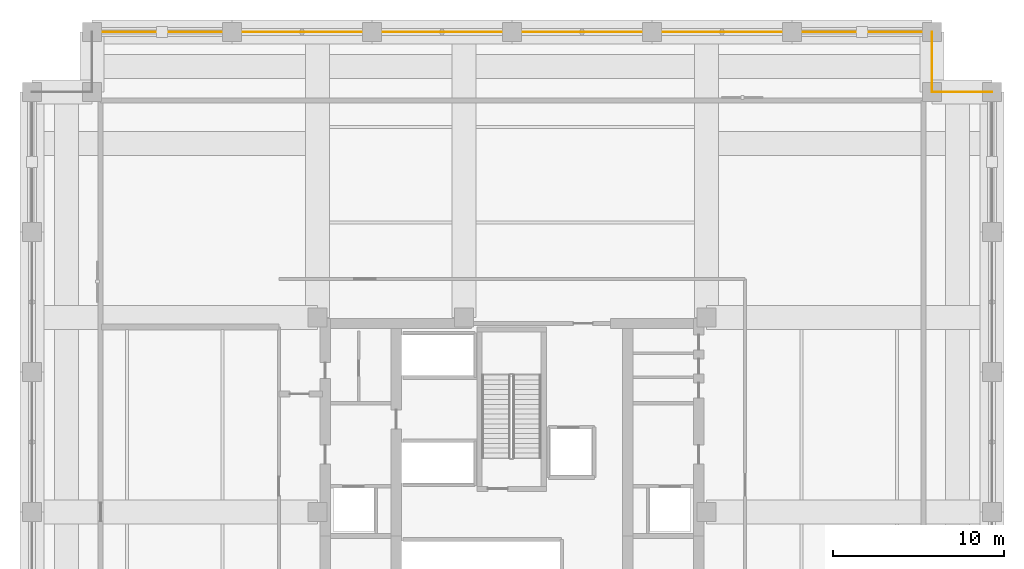
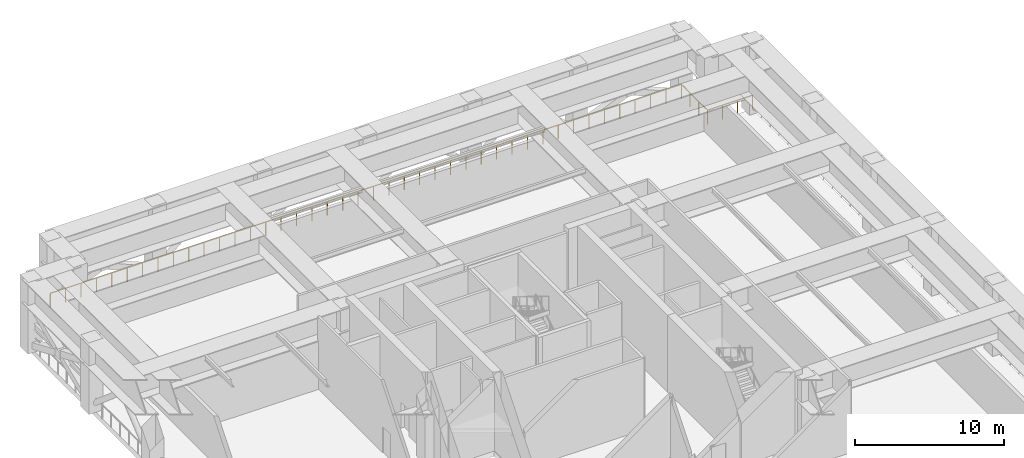
# One storey, part 12 of 12: 3 railings.
"""IFC4 building model written with IfcOpenShell, lengths in metres."""

from ifc_helpers import new_model, si_unit, direction, frame, origin, origin_2d, place, context, subcontext, project, spatial, circle, extrude, material, type_object, element, save


model = new_model("IFC4")

# Units and contexts
model_context = context("Model", 3, precision=1e-05, world=origin(), true_north=direction((0.0, 1.0)))
body_context = subcontext(model_context, "Body", "Model", "MODEL_VIEW")
ifc_project = project(units=[si_unit("LENGTHUNIT", "METRE"), si_unit("AREAUNIT", "SQUARE_METRE"), si_unit("VOLUMEUNIT", "CUBIC_METRE"), si_unit("PLANEANGLEUNIT", "RADIAN"), si_unit("MASSUNIT", "GRAM", prefix="KILO")], contexts=[model_context])

# Site, building, storey
site_placement = place(None, origin())
site = spatial("IfcSite", under=ifc_project, at=site_placement, CompositionType="ELEMENT")
building_placement = place(site_placement, origin())
building = spatial("IfcBuilding", under=site, at=building_placement, Name="Nhamokura Convention Tower", CompositionType="ELEMENT")
storey_placement = place(building_placement, frame((0.0, 0.0, 99.75)))
storey = spatial("IfcBuildingStorey", under=building, at=storey_placement, Name="L24", CompositionType="ELEMENT", Elevation=99.75)

# Railings
ifc_material = material(Name="Anodised bronze stainless steel", Category="steel")
railing_type = type_object("IfcRailingType", Name="TerraceGuardrail_1150", PredefinedType="GUARDRAIL", material=ifc_material)
railing_1_placement = place(storey_placement, frame((60.0, 56.5, 0.0)))
element("IfcRailing", 1, at=railing_1_placement, inside=storey, type_object=railing_type, Name="L24 Perimeter Guardrail 05", PredefinedType="GUARDRAIL", context=body_context, shape_type="SweptSolid", body=[
    extrude(circle(Radius=0.02392578125, at=origin_2d()), frame((0.0, 0.0, 1.1259765625), z_axis=(-1.0, 0.0, 0.0), x_axis=(0.0, -1.0, 0.0)), (0.0, 0.0, 1.0), 3.5),
    extrude(circle(Radius=0.02099609375, at=origin_2d()), origin(), (0.0, 0.0, 1.0), 1.101806640625),
    extrude(circle(Radius=0.02099609375, at=origin_2d()), frame((-1.166748046875, 0.0, 0.0)), (0.0, 0.0, 1.0), 1.101806640625),
    extrude(circle(Radius=0.02099609375, at=origin_2d()), frame((-2.333251953125, 0.0, 0.0)), (0.0, 0.0, 1.0), 1.101806640625),
    extrude(circle(Radius=0.02099609375, at=origin_2d()), frame((-3.5, 0.0, 0.0)), (0.0, 0.0, 1.0), 1.101806640625),
])
railing_2_placement = place(storey_placement, frame((56.5, 56.5, 0.0)))
element("IfcRailing", 2, at=railing_2_placement, inside=storey, type_object=railing_type, Name="L24 Perimeter Guardrail 06", PredefinedType="GUARDRAIL", context=body_context, shape_type="SweptSolid", body=[
    extrude(circle(Radius=0.02392578125, at=origin_2d()), frame((0.0, 0.0, 1.1259765625), z_axis=(0.0, 1.0, 0.0), x_axis=(-1.0, 0.0, 0.0)), (0.0, 0.0, 1.0), 3.5),
    extrude(circle(Radius=0.02099609375, at=origin_2d()), origin(), (0.0, 0.0, 1.0), 1.101806640625),
    extrude(circle(Radius=0.02099609375, at=origin_2d()), frame((0.0, 1.166748046875, 0.0)), (0.0, 0.0, 1.0), 1.101806640625),
    extrude(circle(Radius=0.02099609375, at=origin_2d()), frame((0.0, 2.333251953125, 0.0)), (0.0, 0.0, 1.0), 1.101806640625),
    extrude(circle(Radius=0.02099609375, at=origin_2d()), frame((0.0, 3.5, 0.0)), (0.0, 0.0, 1.0), 1.101806640625),
])
railing_3_placement = place(storey_placement, frame((56.5, 60.0, 0.0)))
element("IfcRailing", 3, at=railing_3_placement, inside=storey, type_object=railing_type, Name="L24 Perimeter Guardrail 07", PredefinedType="GUARDRAIL", context=body_context, shape_type="SweptSolid", body=[
    extrude(circle(Radius=0.02392578125, at=origin_2d()), frame((0.0, 0.0, 1.1259765625), z_axis=(-1.0, 0.0, 0.0), x_axis=(0.0, -1.0, 0.0)), (0.0, 0.0, 1.0), 49.0),
    extrude(circle(Radius=0.02099609375, at=origin_2d()), origin(), (0.0, 0.0, 1.0), 1.101806640625),
    extrude(circle(Radius=0.02099609375, at=origin_2d()), frame((-1.195068359375, 0.0, 0.0)), (0.0, 0.0, 1.0), 1.101806640625),
    extrude(circle(Radius=0.02099609375, at=origin_2d()), frame((-2.39013671875, 0.0, 0.0)), (0.0, 0.0, 1.0), 1.101806640625),
    extrude(circle(Radius=0.02099609375, at=origin_2d()), frame((-3.58544921875, 0.0, 0.0)), (0.0, 0.0, 1.0), 1.101806640625),
    extrude(circle(Radius=0.02099609375, at=origin_2d()), frame((-4.780517578125, 0.0, 0.0)), (0.0, 0.0, 1.0), 1.101806640625),
    extrude(circle(Radius=0.02099609375, at=origin_2d()), frame((-5.9755859375, 0.0, 0.0)), (0.0, 0.0, 1.0), 1.101806640625),
    extrude(circle(Radius=0.02099609375, at=origin_2d()), frame((-7.170654296875, 0.0, 0.0)), (0.0, 0.0, 1.0), 1.101806640625),
    extrude(circle(Radius=0.02099609375, at=origin_2d()), frame((-8.365966796875, 0.0, 0.0)), (0.0, 0.0, 1.0), 1.101806640625),
    extrude(circle(Radius=0.02099609375, at=origin_2d()), frame((-9.56103515625, 0.0, 0.0)), (0.0, 0.0, 1.0), 1.101806640625),
    extrude(circle(Radius=0.02099609375, at=origin_2d()), frame((-10.756103515625, 0.0, 0.0)), (0.0, 0.0, 1.0), 1.101806640625),
    extrude(circle(Radius=0.02099609375, at=origin_2d()), frame((-11.951171875, 0.0, 0.0)), (0.0, 0.0, 1.0), 1.101806640625),
    extrude(circle(Radius=0.02099609375, at=origin_2d()), frame((-13.146240234375, 0.0, 0.0)), (0.0, 0.0, 1.0), 1.101806640625),
    extrude(circle(Radius=0.02099609375, at=origin_2d()), frame((-14.341552734375, 0.0, 0.0)), (0.0, 0.0, 1.0), 1.101806640625),
    extrude(circle(Radius=0.02099609375, at=origin_2d()), frame((-15.53662109375, 0.0, 0.0)), (0.0, 0.0, 1.0), 1.101806640625),
    extrude(circle(Radius=0.02099609375, at=origin_2d()), frame((-16.731689453125, 0.0, 0.0)), (0.0, 0.0, 1.0), 1.101806640625),
    extrude(circle(Radius=0.02099609375, at=origin_2d()), frame((-17.9267578125, 0.0, 0.0)), (0.0, 0.0, 1.0), 1.101806640625),
    extrude(circle(Radius=0.02099609375, at=origin_2d()), frame((-19.1220703125, 0.0, 0.0)), (0.0, 0.0, 1.0), 1.101806640625),
    extrude(circle(Radius=0.02099609375, at=origin_2d()), frame((-20.317138671875, 0.0, 0.0)), (0.0, 0.0, 1.0), 1.101806640625),
    extrude(circle(Radius=0.02099609375, at=origin_2d()), frame((-21.51220703125, 0.0, 0.0)), (0.0, 0.0, 1.0), 1.101806640625),
    extrude(circle(Radius=0.02099609375, at=origin_2d()), frame((-22.707275390625, 0.0, 0.0)), (0.0, 0.0, 1.0), 1.101806640625),
    extrude(circle(Radius=0.02099609375, at=origin_2d()), frame((-23.90234375, 0.0, 0.0)), (0.0, 0.0, 1.0), 1.101806640625),
    extrude(circle(Radius=0.02099609375, at=origin_2d()), frame((-25.09765625, 0.0, 0.0)), (0.0, 0.0, 1.0), 1.101806640625),
    extrude(circle(Radius=0.02099609375, at=origin_2d()), frame((-26.292724609375, 0.0, 0.0)), (0.0, 0.0, 1.0), 1.101806640625),
    extrude(circle(Radius=0.02099609375, at=origin_2d()), frame((-27.48779296875, 0.0, 0.0)), (0.0, 0.0, 1.0), 1.101806640625),
    extrude(circle(Radius=0.02099609375, at=origin_2d()), frame((-28.682861328125, 0.0, 0.0)), (0.0, 0.0, 1.0), 1.101806640625),
    extrude(circle(Radius=0.02099609375, at=origin_2d()), frame((-29.8779296875, 0.0, 0.0)), (0.0, 0.0, 1.0), 1.101806640625),
    extrude(circle(Radius=0.02099609375, at=origin_2d()), frame((-31.0732421875, 0.0, 0.0)), (0.0, 0.0, 1.0), 1.101806640625),
    extrude(circle(Radius=0.02099609375, at=origin_2d()), frame((-32.268310546875, 0.0, 0.0)), (0.0, 0.0, 1.0), 1.101806640625),
    extrude(circle(Radius=0.02099609375, at=origin_2d()), frame((-33.46337890625, 0.0, 0.0)), (0.0, 0.0, 1.0), 1.101806640625),
    extrude(circle(Radius=0.02099609375, at=origin_2d()), frame((-34.658447265625, 0.0, 0.0)), (0.0, 0.0, 1.0), 1.101806640625),
    extrude(circle(Radius=0.02099609375, at=origin_2d()), frame((-35.853759765625, 0.0, 0.0)), (0.0, 0.0, 1.0), 1.101806640625),
    extrude(circle(Radius=0.02099609375, at=origin_2d()), frame((-37.048828125, 0.0, 0.0)), (0.0, 0.0, 1.0), 1.101806640625),
    extrude(circle(Radius=0.02099609375, at=origin_2d()), frame((-38.243896484375, 0.0, 0.0)), (0.0, 0.0, 1.0), 1.101806640625),
    extrude(circle(Radius=0.02099609375, at=origin_2d()), frame((-39.43896484375, 0.0, 0.0)), (0.0, 0.0, 1.0), 1.101806640625),
    extrude(circle(Radius=0.02099609375, at=origin_2d()), frame((-40.634033203125, 0.0, 0.0)), (0.0, 0.0, 1.0), 1.101806640625),
    extrude(circle(Radius=0.02099609375, at=origin_2d()), frame((-41.829345703125, 0.0, 0.0)), (0.0, 0.0, 1.0), 1.101806640625),
    extrude(circle(Radius=0.02099609375, at=origin_2d()), frame((-43.0244140625, 0.0, 0.0)), (0.0, 0.0, 1.0), 1.101806640625),
    extrude(circle(Radius=0.02099609375, at=origin_2d()), frame((-44.219482421875, 0.0, 0.0)), (0.0, 0.0, 1.0), 1.101806640625),
    extrude(circle(Radius=0.02099609375, at=origin_2d()), frame((-45.41455078125, 0.0, 0.0)), (0.0, 0.0, 1.0), 1.101806640625),
    extrude(circle(Radius=0.02099609375, at=origin_2d()), frame((-46.60986328125, 0.0, 0.0)), (0.0, 0.0, 1.0), 1.101806640625),
    extrude(circle(Radius=0.02099609375, at=origin_2d()), frame((-47.804931640625, 0.0, 0.0)), (0.0, 0.0, 1.0), 1.101806640625),
    extrude(circle(Radius=0.02099609375, at=origin_2d()), frame((-49.0, 0.0, 0.0)), (0.0, 0.0, 1.0), 1.101806640625),
])

save(model, "model.ifc")
